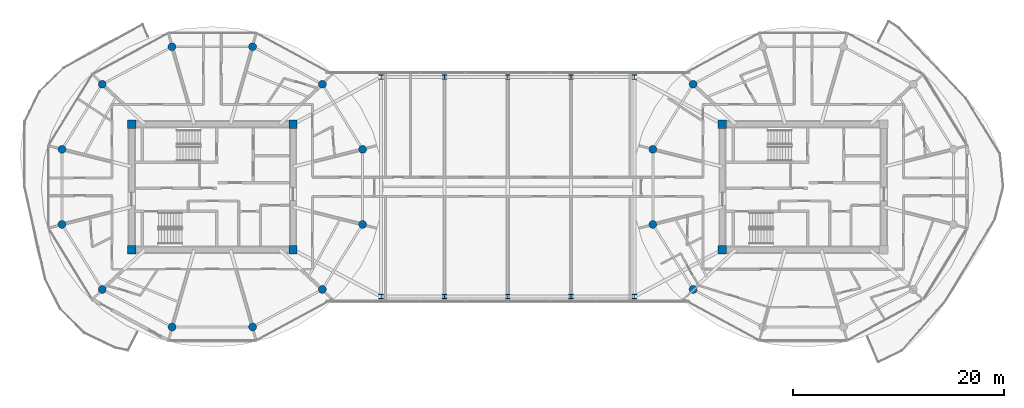
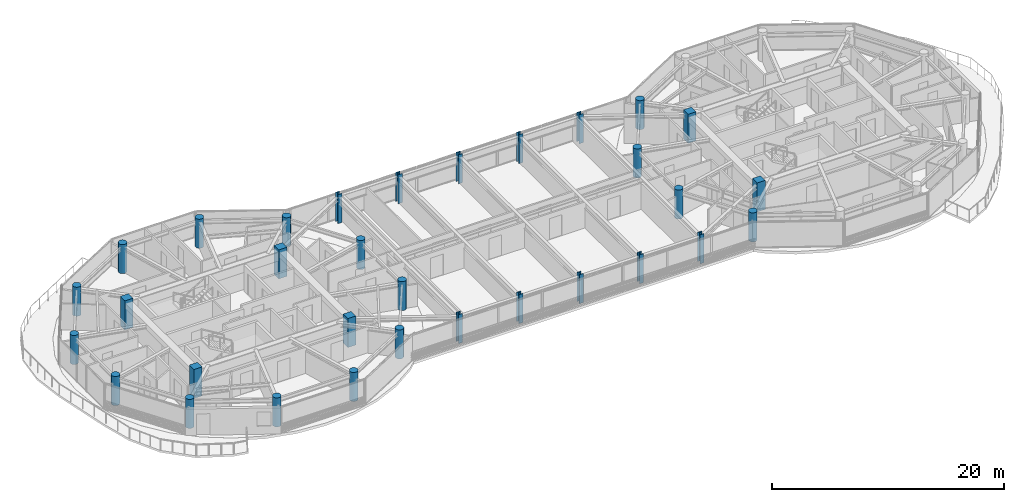
# One storey, part 1 of 24: 32 columns.
"""IFC4 building model written with IfcOpenShell, lengths in metres."""

from ifc_helpers import new_model, si_unit, direction, frame, origin, origin_2d, place, context, subcontext, project, spatial, rectangle, circle, i_section, extrude, source, transform, mapped, material, material_profile, profile_set, type_object, type_shapes, element, save


model = new_model("IFC4")

# Units and contexts
model_context = context("Model", 3, precision=1e-05, world=origin(), true_north=direction((0.0, 1.0)))
body_context = subcontext(model_context, "Body", "Model", "MODEL_VIEW")
ifc_project = project(units=[si_unit("LENGTHUNIT", "METRE"), si_unit("AREAUNIT", "SQUARE_METRE"), si_unit("VOLUMEUNIT", "CUBIC_METRE"), si_unit("PLANEANGLEUNIT", "RADIAN"), si_unit("MASSUNIT", "GRAM", prefix="KILO")], contexts=[model_context])

# Site, building, storey
site_placement = place(None, origin())
site = spatial("IfcSite", under=ifc_project, at=site_placement, CompositionType="ELEMENT")
building_placement = place(site_placement, origin())
building = spatial("IfcBuilding", under=site, at=building_placement, Name="Norrkilde Senior Care Towers", CompositionType="ELEMENT")
storey_placement = place(building_placement, frame((0.0, 0.0, 213.89990234375)))
storey = spatial("IfcBuildingStorey", under=building, at=storey_placement, Name="L66", CompositionType="ELEMENT", Elevation=213.89990234375)

# Columns
ifc_material_1 = material(Name="Concrete C60/75", Category="concrete")
ifc_material_profile_1 = material_profile(ifc_material_1, rectangle(XDim=0.800048828125, YDim=0.800048828125, at=origin_2d()), Name="RC COL 800x800")
ifc_profile_set_1 = profile_set([ifc_material_profile_1], Name="Concrete C60/75")
column_type_1 = type_object("IfcColumnType", Name="Column Core Corner Z3-Z4 800", PredefinedType="COLUMN", material=ifc_profile_set_1)
shared_shape_1 = source(origin(), body_context, "Body", "SweptSolid", [
    extrude(rectangle(XDim=0.800048828125, YDim=0.800048828125, at=origin_2d()), origin(), (0.0, 0.0, 1.0), 3.050048828125),
])
type_shapes(column_type_1, [shared_shape_1])
for number, where, z_axis, x_axis, name in (
    (1, (-35.64990234375, -5.949951171875, 0.0), (0.0, 0.0, 1.0), (1.0, 0.0, 0.0), "L66 Core W Corner Column 1"),
    (2, (-20.35009765625, -5.949951171875, 0.0), (0.0, 0.0, 1.0), (1.0, 0.0, 0.0), "L66 Core W Corner Column 2"),
    (3, (-20.35009765625, 5.949951171875, 0.0), (0.0, 0.0, 1.0), (1.0, 0.0, 0.0), "L66 Core W Corner Column 3"),
    (4, (-35.64990234375, 5.949951171875, 0.0), (0.0, 0.0, 1.0), (1.0, 0.0, 0.0), "L66 Core W Corner Column 4"),
    (5, (20.35009765625, -5.949951171875, 0.0), (0.0, 0.0, 1.0), (1.0, 0.0, 0.0), "L66 Core E Corner Column 1"),
    (6, (20.35009765625, 5.949951171875, 0.0), (0.0, 0.0, 1.0), (1.0, 0.0, 0.0), "L66 Core E Corner Column 4"),
):
    element("IfcColumn", number, at=place(storey_placement, frame(where, z_axis=z_axis, x_axis=x_axis)), inside=storey, type_object=column_type_1, Name=name, PredefinedType="COLUMN", context=body_context, shape_type="MappedRepresentation", body=[
        mapped(shared_shape_1, transform((0.0, 0.0, 0.0), x_axis=(1.0, 0.0, 0.0), y_axis=(0.0, 1.0, 0.0), z_axis=(0.0, 0.0, 1.0), scale=1.0)),
    ])
ifc_material_2 = material(Name="Concrete C50/60", Category="concrete")
ifc_material_profile_2 = material_profile(ifc_material_2, circle(Radius=0.375, at=origin_2d()), Name="RC CIR 750")
ifc_profile_set_2 = profile_set([ifc_material_profile_2], Name="Concrete C50/60")
column_type_2 = type_object("IfcColumnType", Name="Column Perimeter Z4 750", PredefinedType="COLUMN", material=ifc_profile_set_2)
shared_shape_2 = source(origin(), body_context, "Body", "SweptSolid", [
    extrude(circle(Radius=0.375, at=origin_2d()), origin(), (0.0, 0.0, 1.0), 3.050048828125),
])
type_shapes(column_type_2, [shared_shape_2])
for number, where, z_axis, x_axis, name in (
    (7, (-13.752685546875, 3.558837890625, 0.0), (0.0, 0.0, 1.0), (1.0, 0.0, 0.0), "L66 Drum W Perimeter Column 01"),
    (8, (-17.570068359375, 9.72265625, 0.0), (0.0, 0.0, 1.0), (1.0, 0.0, 0.0), "L66 Drum W Perimeter Column 02"),
    (9, (-24.182373046875, 13.281494140625, 0.0), (0.0, 0.0, 1.0), (1.0, 0.0, 0.0), "L66 Drum W Perimeter Column 03"),
    (10, (-31.817626953125, 13.281494140625, 0.0), (0.0, 0.0, 1.0), (1.0, 0.0, 0.0), "L66 Drum W Perimeter Column 04"),
    (11, (-38.429931640625, 9.72265625, 0.0), (0.0, 0.0, 1.0), (1.0, 0.0, 0.0), "L66 Drum W Perimeter Column 05"),
    (12, (-42.247314453125, 3.558837890625, 0.0), (0.0, 0.0, 1.0), (1.0, 0.0, 0.0), "L66 Drum W Perimeter Column 06"),
    (13, (-42.247314453125, -3.558837890625, 0.0), (0.0, 0.0, 1.0), (1.0, 0.0, 0.0), "L66 Drum W Perimeter Column 07"),
    (14, (-38.429931640625, -9.72265625, 0.0), (0.0, 0.0, 1.0), (1.0, 0.0, 0.0), "L66 Drum W Perimeter Column 08"),
    (15, (-31.817626953125, -13.281494140625, 0.0), (0.0, 0.0, 1.0), (1.0, 0.0, 0.0), "L66 Drum W Perimeter Column 09"),
    (16, (-24.182373046875, -13.281494140625, 0.0), (0.0, 0.0, 1.0), (1.0, 0.0, 0.0), "L66 Drum W Perimeter Column 10"),
    (17, (-17.570068359375, -9.72265625, 0.0), (0.0, 0.0, 1.0), (1.0, 0.0, 0.0), "L66 Drum W Perimeter Column 11"),
    (18, (-13.752685546875, -3.558837890625, 0.0), (0.0, 0.0, 1.0), (1.0, 0.0, 0.0), "L66 Drum W Perimeter Column 12"),
    (19, (17.570068359375, 9.72265625, 0.0), (0.0, 0.0, 1.0), (1.0, 0.0, 0.0), "L66 Drum E Perimeter Column 05"),
    (20, (13.752685546875, 3.558837890625, 0.0), (0.0, 0.0, 1.0), (1.0, 0.0, 0.0), "L66 Drum E Perimeter Column 06"),
    (21, (13.752685546875, -3.558837890625, 0.0), (0.0, 0.0, 1.0), (1.0, 0.0, 0.0), "L66 Drum E Perimeter Column 07"),
    (22, (17.570068359375, -9.72265625, 0.0), (0.0, 0.0, 1.0), (1.0, 0.0, 0.0), "L66 Drum E Perimeter Column 08"),
):
    element("IfcColumn", number, at=place(storey_placement, frame(where, z_axis=z_axis, x_axis=x_axis)), inside=storey, type_object=column_type_2, Name=name, PredefinedType="COLUMN", context=body_context, shape_type="MappedRepresentation", body=[
        mapped(shared_shape_2, transform((0.0, 0.0, 0.0), x_axis=(1.0, 0.0, 0.0), y_axis=(0.0, 1.0, 0.0), z_axis=(0.0, 0.0, 1.0), scale=1.0)),
    ])
ifc_material_3 = material(Name="Steel S355", Category="steel")
ifc_material_profile_3 = material_profile(ifc_material_3, i_section(OverallWidth=0.406982421875, OverallDepth=0.43505859375, WebThickness=0.02392578125, FlangeThickness=0.0390625, FilletRadius=0.014892578125, at=origin_2d()), Name="HD 400x421")
ifc_profile_set_3 = profile_set([ifc_material_profile_3], Name="Steel S355")
column_type_3 = type_object("IfcColumnType", Name="Column Bridge Frame HD400", PredefinedType="COLUMN", material=ifc_profile_set_3)
shared_shape_3 = source(origin(), body_context, "Body", "SweptSolid", [
    extrude(i_section(OverallWidth=0.406982421875, OverallDepth=0.43505859375, WebThickness=0.02392578125, FlangeThickness=0.0390625, FilletRadius=0.014892578125, at=origin_2d()), origin(), (0.0, 0.0, 1.0), 3.050048828125),
])
type_shapes(column_type_3, [shared_shape_3])
for number, where, z_axis, x_axis, name in (
    (23, (-12.0, -10.39990234375, 0.0), (0.0, 0.0, 1.0), (1.0, 0.0, 0.0), "L66 Sky-Gate Bridge Column -12.1"),
    (24, (-12.0, 10.39990234375, 0.0), (0.0, 0.0, 1.0), (1.0, 0.0, 0.0), "L66 Sky-Gate Bridge Column -12.2"),
    (25, (-6.0, -10.39990234375, 0.0), (0.0, 0.0, 1.0), (1.0, 0.0, 0.0), "L66 Sky-Gate Bridge Column -6.1"),
    (26, (-6.0, 10.39990234375, 0.0), (0.0, 0.0, 1.0), (1.0, 0.0, 0.0), "L66 Sky-Gate Bridge Column -6.2"),
    (27, (0.0, -10.39990234375, 0.0), (0.0, 0.0, 1.0), (1.0, 0.0, 0.0), "L66 Sky-Gate Bridge Column +0.1"),
    (28, (0.0, 10.39990234375, 0.0), (0.0, 0.0, 1.0), (1.0, 0.0, 0.0), "L66 Sky-Gate Bridge Column +0.2"),
    (29, (6.0, -10.39990234375, 0.0), (0.0, 0.0, 1.0), (1.0, 0.0, 0.0), "L66 Sky-Gate Bridge Column +6.1"),
    (30, (6.0, 10.39990234375, 0.0), (0.0, 0.0, 1.0), (1.0, 0.0, 0.0), "L66 Sky-Gate Bridge Column +6.2"),
    (31, (12.0, -10.39990234375, 0.0), (0.0, 0.0, 1.0), (1.0, 0.0, 0.0), "L66 Sky-Gate Bridge Column +12.1"),
    (32, (12.0, 10.39990234375, 0.0), (0.0, 0.0, 1.0), (1.0, 0.0, 0.0), "L66 Sky-Gate Bridge Column +12.2"),
):
    element("IfcColumn", number, at=place(storey_placement, frame(where, z_axis=z_axis, x_axis=x_axis)), inside=storey, type_object=column_type_3, Name=name, PredefinedType="COLUMN", context=body_context, shape_type="MappedRepresentation", body=[
        mapped(shared_shape_3, transform((0.0, 0.0, 0.0), x_axis=(1.0, 0.0, 0.0), y_axis=(0.0, 1.0, 0.0), z_axis=(0.0, 0.0, 1.0), scale=1.0)),
    ])

save(model, "model.ifc")
